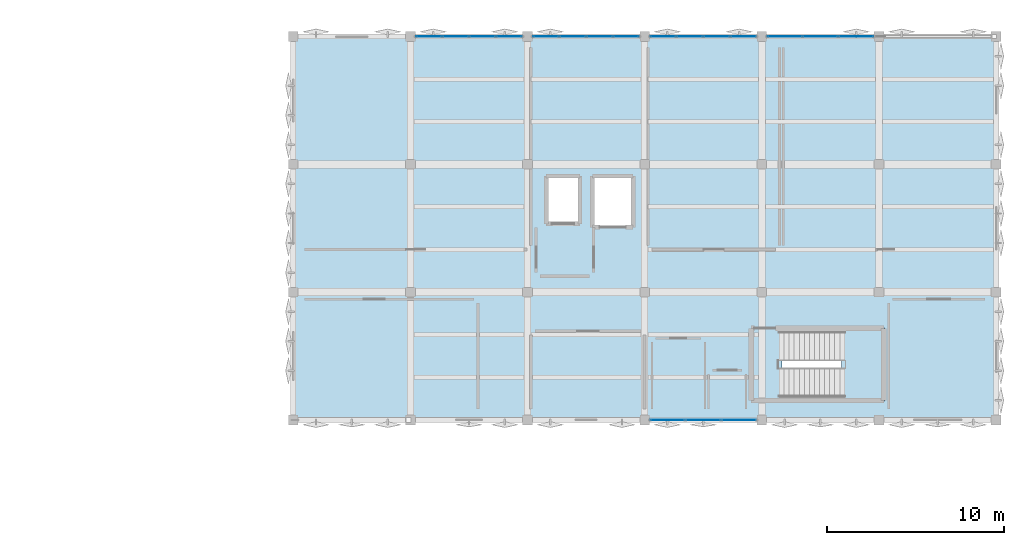
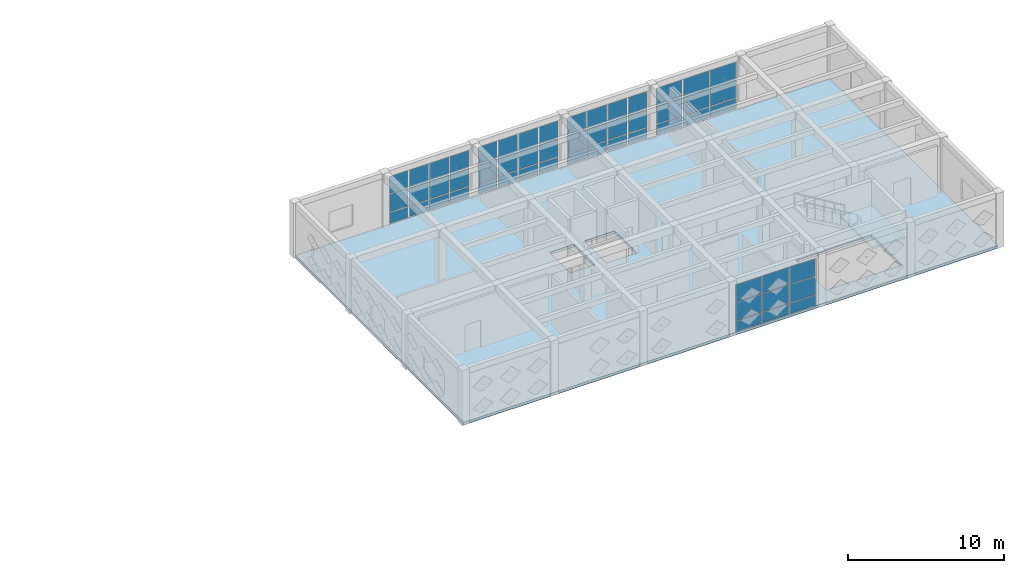
# One storey, part 22 of 36: 54 plates, 2 slabs, 6 elements without a shape of their own.
"""IFC4 building model written with IfcOpenShell, lengths in metres."""

from ifc_helpers import new_model, si_unit, direction, frame, origin, origin_2d, place, context, subcontext, project, spatial, polyline, rectangle, outline, extrude, material, layer, layer_set, type_object, element, aggregate, save


model = new_model("IFC4")

# Units and contexts
model_context = context("Model", 3, precision=1e-05, world=origin(), true_north=direction((0.0, 1.0)))
body_context = subcontext(model_context, "Body", "Model", "MODEL_VIEW")
ifc_project = project(units=[si_unit("LENGTHUNIT", "METRE"), si_unit("AREAUNIT", "SQUARE_METRE"), si_unit("VOLUMEUNIT", "CUBIC_METRE"), si_unit("PLANEANGLEUNIT", "RADIAN"), si_unit("MASSUNIT", "GRAM", prefix="KILO")], contexts=[model_context])

# Site, building, storey
site_placement = place(None, origin())
site = spatial("IfcSite", under=ifc_project, at=site_placement, CompositionType="ELEMENT")
building_placement = place(site_placement, origin())
building = spatial("IfcBuilding", under=site, at=building_placement, Name="Kharisveld Research Institute", CompositionType="ELEMENT")
storey_placement = place(building_placement, frame((0.0, 0.0, 27.60009765625)))
storey = spatial("IfcBuildingStorey", under=building, at=storey_placement, Name="L06", CompositionType="ELEMENT", Elevation=27.60009765625)

# Curtain wall, plates
ifc_material_1 = material(Name="Thermally Broken Aluminium Curtain Wall", Category="aluminium")
ifc_layer_1 = layer(ifc_material_1, 0.159912109375)
ifc_layer_set_1 = layer_set([ifc_layer_1], Name="CW_SYS_02")
curtain_wall_type_1 = type_object("IfcCurtainWallType", Name="CW_SYS_02", PredefinedType="NOTDEFINED", material=ifc_layer_set_1)
curtain_wall_1_placement = place(storey_placement, origin())
curtain_wall_1 = element("IfcCurtainWall", 1, at=curtain_wall_1_placement, inside=storey, type_object=curtain_wall_type_1, Name="CW:V2:L06:N2", PredefinedType="NOTDEFINED")
ifc_material_2 = material(Name="Low-E Double Glazing", Category="glass")
ifc_layer_2 = layer(ifc_material_2, 0.028076171875)
ifc_layer_set_2 = layer_set([ifc_layer_2], Name="CW_PNL_GLZ")
plate_type = type_object("IfcPlateType", Name="CW_PNL_GLZ", PredefinedType="CURTAIN_PANEL", material=ifc_layer_set_2)
plate_1_placement = place(storey_placement, frame((128.84375, 60.800048828125, 0.059814453125), z_axis=(0.0, 0.0, 1.0), x_axis=(1.0, 0.0, 0.0)))
plate_1 = element("IfcPlate", 2, at=plate_1_placement, type_object=plate_type, Name="CW-02 panel 1.1", PredefinedType="CURTAIN_PANEL", context=body_context, shape_type="SweptSolid", body=[
    extrude(rectangle(XDim=1.41748046875, YDim=0.028076171875, at=origin_2d()), origin(), (0.0, 0.0, 1.0), 0.81005859375),
])
plate_2_placement = place(storey_placement, frame((128.84375, 60.800048828125, 0.93017578125), z_axis=(0.0, 0.0, 1.0), x_axis=(1.0, 0.0, 0.0)))
plate_2 = element("IfcPlate", 3, at=plate_2_placement, type_object=plate_type, Name="CW-02 panel 1.2", PredefinedType="CURTAIN_PANEL", context=body_context, shape_type="SweptSolid", body=[
    extrude(rectangle(XDim=1.41748046875, YDim=0.028076171875, at=origin_2d()), origin(), (0.0, 0.0, 1.0), 1.389892578125),
])
plate_3_placement = place(storey_placement, frame((128.84375, 60.800048828125, 2.3798828125), z_axis=(0.0, 0.0, 1.0), x_axis=(1.0, 0.0, 0.0)))
plate_3 = element("IfcPlate", 4, at=plate_3_placement, type_object=plate_type, Name="CW-02 panel 1.3", PredefinedType="CURTAIN_PANEL", context=body_context, shape_type="SweptSolid", body=[
    extrude(rectangle(XDim=1.41748046875, YDim=0.028076171875, at=origin_2d()), origin(), (0.0, 0.0, 1.0), 1.340087890625),
])
plate_4_placement = place(storey_placement, frame((130.342529296875, 60.800048828125, 0.059814453125), z_axis=(0.0, 0.0, 1.0), x_axis=(1.0, 0.0, 0.0)))
plate_4 = element("IfcPlate", 5, at=plate_4_placement, type_object=plate_type, Name="CW-02 panel 2.1", PredefinedType="CURTAIN_PANEL", context=body_context, shape_type="SweptSolid", body=[
    extrude(rectangle(XDim=1.449951171875, YDim=0.028076171875, at=origin_2d()), origin(), (0.0, 0.0, 1.0), 0.81005859375),
])
plate_5_placement = place(storey_placement, frame((130.342529296875, 60.800048828125, 0.93017578125), z_axis=(0.0, 0.0, 1.0), x_axis=(1.0, 0.0, 0.0)))
plate_5 = element("IfcPlate", 6, at=plate_5_placement, type_object=plate_type, Name="CW-02 panel 2.2", PredefinedType="CURTAIN_PANEL", context=body_context, shape_type="SweptSolid", body=[
    extrude(rectangle(XDim=1.449951171875, YDim=0.028076171875, at=origin_2d()), origin(), (0.0, 0.0, 1.0), 1.389892578125),
])
plate_6_placement = place(storey_placement, frame((130.342529296875, 60.800048828125, 2.3798828125), z_axis=(0.0, 0.0, 1.0), x_axis=(1.0, 0.0, 0.0)))
plate_6 = element("IfcPlate", 7, at=plate_6_placement, type_object=plate_type, Name="CW-02 panel 2.3", PredefinedType="CURTAIN_PANEL", context=body_context, shape_type="SweptSolid", body=[
    extrude(rectangle(XDim=1.449951171875, YDim=0.028076171875, at=origin_2d()), origin(), (0.0, 0.0, 1.0), 1.340087890625),
])
plate_7_placement = place(storey_placement, frame((131.857421875, 60.800048828125, 0.059814453125), z_axis=(0.0, 0.0, 1.0), x_axis=(1.0, 0.0, 0.0)))
plate_7 = element("IfcPlate", 8, at=plate_7_placement, type_object=plate_type, Name="CW-02 panel 3.1", PredefinedType="CURTAIN_PANEL", context=body_context, shape_type="SweptSolid", body=[
    extrude(rectangle(XDim=1.449951171875, YDim=0.028076171875, at=origin_2d()), origin(), (0.0, 0.0, 1.0), 0.81005859375),
])
plate_8_placement = place(storey_placement, frame((131.857421875, 60.800048828125, 0.93017578125), z_axis=(0.0, 0.0, 1.0), x_axis=(1.0, 0.0, 0.0)))
plate_8 = element("IfcPlate", 9, at=plate_8_placement, type_object=plate_type, Name="CW-02 panel 3.2", PredefinedType="CURTAIN_PANEL", context=body_context, shape_type="SweptSolid", body=[
    extrude(rectangle(XDim=1.449951171875, YDim=0.028076171875, at=origin_2d()), origin(), (0.0, 0.0, 1.0), 1.389892578125),
])
plate_9_placement = place(storey_placement, frame((131.857421875, 60.800048828125, 2.3798828125), z_axis=(0.0, 0.0, 1.0), x_axis=(1.0, 0.0, 0.0)))
plate_9 = element("IfcPlate", 10, at=plate_9_placement, type_object=plate_type, Name="CW-02 panel 3.3", PredefinedType="CURTAIN_PANEL", context=body_context, shape_type="SweptSolid", body=[
    extrude(rectangle(XDim=1.449951171875, YDim=0.028076171875, at=origin_2d()), origin(), (0.0, 0.0, 1.0), 1.340087890625),
])
plate_10_placement = place(storey_placement, frame((133.356201171875, 60.800048828125, 0.059814453125), z_axis=(0.0, 0.0, 1.0), x_axis=(1.0, 0.0, 0.0)))
plate_10 = element("IfcPlate", 11, at=plate_10_placement, type_object=plate_type, Name="CW-02 panel 4.1", PredefinedType="CURTAIN_PANEL", context=body_context, shape_type="SweptSolid", body=[
    extrude(rectangle(XDim=1.41748046875, YDim=0.028076171875, at=origin_2d()), origin(), (0.0, 0.0, 1.0), 0.81005859375),
])
plate_11_placement = place(storey_placement, frame((133.356201171875, 60.800048828125, 0.93017578125), z_axis=(0.0, 0.0, 1.0), x_axis=(1.0, 0.0, 0.0)))
plate_11 = element("IfcPlate", 12, at=plate_11_placement, type_object=plate_type, Name="CW-02 panel 4.2", PredefinedType="CURTAIN_PANEL", context=body_context, shape_type="SweptSolid", body=[
    extrude(rectangle(XDim=1.41748046875, YDim=0.028076171875, at=origin_2d()), origin(), (0.0, 0.0, 1.0), 1.389892578125),
])
plate_12_placement = place(storey_placement, frame((133.356201171875, 60.800048828125, 2.3798828125), z_axis=(0.0, 0.0, 1.0), x_axis=(1.0, 0.0, 0.0)))
plate_12 = element("IfcPlate", 13, at=plate_12_placement, type_object=plate_type, Name="CW-02 panel 4.3", PredefinedType="CURTAIN_PANEL", context=body_context, shape_type="SweptSolid", body=[
    extrude(rectangle(XDim=1.41748046875, YDim=0.028076171875, at=origin_2d()), origin(), (0.0, 0.0, 1.0), 1.340087890625),
])
aggregate(curtain_wall_1, [plate_1, plate_2, plate_3, plate_4, plate_5, plate_6, plate_7, plate_8, plate_9, plate_10, plate_11, plate_12])

ifc_material_3 = material(Name="Thermally Broken Aluminium Curtain Wall", Category="aluminium")
ifc_layer_3 = layer(ifc_material_3, 0.159912109375)
ifc_layer_set_3 = layer_set([ifc_layer_3], Name="CW_SYS_03")
curtain_wall_type_2 = type_object("IfcCurtainWallType", Name="CW_SYS_03", PredefinedType="NOTDEFINED", material=ifc_layer_set_3)
curtain_wall_2_placement = place(storey_placement, origin())
curtain_wall_2 = element("IfcCurtainWall", 14, at=curtain_wall_2_placement, inside=storey, type_object=curtain_wall_type_2, Name="CW:V2:L06:N3", PredefinedType="NOTDEFINED")
plate_13_placement = place(storey_placement, frame((135.44384765625, 60.800048828125, 0.059814453125), z_axis=(0.0, 0.0, 1.0), x_axis=(1.0, 0.0, 0.0)))
plate_13 = element("IfcPlate", 15, at=plate_13_placement, type_object=plate_type, Name="CW-03 panel 1.1", PredefinedType="CURTAIN_PANEL", context=body_context, shape_type="SweptSolid", body=[
    extrude(rectangle(XDim=1.41748046875, YDim=0.028076171875, at=origin_2d()), origin(), (0.0, 0.0, 1.0), 0.81005859375),
])
plate_14_placement = place(storey_placement, frame((135.44384765625, 60.800048828125, 0.93017578125), z_axis=(0.0, 0.0, 1.0), x_axis=(1.0, 0.0, 0.0)))
plate_14 = element("IfcPlate", 16, at=plate_14_placement, type_object=plate_type, Name="CW-03 panel 1.2", PredefinedType="CURTAIN_PANEL", context=body_context, shape_type="SweptSolid", body=[
    extrude(rectangle(XDim=1.41748046875, YDim=0.028076171875, at=origin_2d()), origin(), (0.0, 0.0, 1.0), 1.389892578125),
])
plate_15_placement = place(storey_placement, frame((135.44384765625, 60.800048828125, 2.3798828125), z_axis=(0.0, 0.0, 1.0), x_axis=(1.0, 0.0, 0.0)))
plate_15 = element("IfcPlate", 17, at=plate_15_placement, type_object=plate_type, Name="CW-03 panel 1.3", PredefinedType="CURTAIN_PANEL", context=body_context, shape_type="SweptSolid", body=[
    extrude(rectangle(XDim=1.41748046875, YDim=0.028076171875, at=origin_2d()), origin(), (0.0, 0.0, 1.0), 1.340087890625),
])
plate_16_placement = place(storey_placement, frame((136.9423828125, 60.800048828125, 0.059814453125), z_axis=(0.0, 0.0, 1.0), x_axis=(1.0, 0.0, 0.0)))
plate_16 = element("IfcPlate", 18, at=plate_16_placement, type_object=plate_type, Name="CW-03 panel 2.1", PredefinedType="CURTAIN_PANEL", context=body_context, shape_type="SweptSolid", body=[
    extrude(rectangle(XDim=1.449951171875, YDim=0.028076171875, at=origin_2d()), origin(), (0.0, 0.0, 1.0), 0.81005859375),
])
plate_17_placement = place(storey_placement, frame((136.9423828125, 60.800048828125, 0.93017578125), z_axis=(0.0, 0.0, 1.0), x_axis=(1.0, 0.0, 0.0)))
plate_17 = element("IfcPlate", 19, at=plate_17_placement, type_object=plate_type, Name="CW-03 panel 2.2", PredefinedType="CURTAIN_PANEL", context=body_context, shape_type="SweptSolid", body=[
    extrude(rectangle(XDim=1.449951171875, YDim=0.028076171875, at=origin_2d()), origin(), (0.0, 0.0, 1.0), 1.389892578125),
])
plate_18_placement = place(storey_placement, frame((136.9423828125, 60.800048828125, 2.3798828125), z_axis=(0.0, 0.0, 1.0), x_axis=(1.0, 0.0, 0.0)))
plate_18 = element("IfcPlate", 20, at=plate_18_placement, type_object=plate_type, Name="CW-03 panel 2.3", PredefinedType="CURTAIN_PANEL", context=body_context, shape_type="SweptSolid", body=[
    extrude(rectangle(XDim=1.449951171875, YDim=0.028076171875, at=origin_2d()), origin(), (0.0, 0.0, 1.0), 1.340087890625),
])
plate_19_placement = place(storey_placement, frame((138.45751953125, 60.800048828125, 0.059814453125), z_axis=(0.0, 0.0, 1.0), x_axis=(1.0, 0.0, 0.0)))
plate_19 = element("IfcPlate", 21, at=plate_19_placement, type_object=plate_type, Name="CW-03 panel 3.1", PredefinedType="CURTAIN_PANEL", context=body_context, shape_type="SweptSolid", body=[
    extrude(rectangle(XDim=1.449951171875, YDim=0.028076171875, at=origin_2d()), origin(), (0.0, 0.0, 1.0), 0.81005859375),
])
plate_20_placement = place(storey_placement, frame((138.45751953125, 60.800048828125, 0.93017578125), z_axis=(0.0, 0.0, 1.0), x_axis=(1.0, 0.0, 0.0)))
plate_20 = element("IfcPlate", 22, at=plate_20_placement, type_object=plate_type, Name="CW-03 panel 3.2", PredefinedType="CURTAIN_PANEL", context=body_context, shape_type="SweptSolid", body=[
    extrude(rectangle(XDim=1.449951171875, YDim=0.028076171875, at=origin_2d()), origin(), (0.0, 0.0, 1.0), 1.389892578125),
])
plate_21_placement = place(storey_placement, frame((138.45751953125, 60.800048828125, 2.3798828125), z_axis=(0.0, 0.0, 1.0), x_axis=(1.0, 0.0, 0.0)))
plate_21 = element("IfcPlate", 23, at=plate_21_placement, type_object=plate_type, Name="CW-03 panel 3.3", PredefinedType="CURTAIN_PANEL", context=body_context, shape_type="SweptSolid", body=[
    extrude(rectangle(XDim=1.449951171875, YDim=0.028076171875, at=origin_2d()), origin(), (0.0, 0.0, 1.0), 1.340087890625),
])
plate_22_placement = place(storey_placement, frame((139.956298828125, 60.800048828125, 0.059814453125), z_axis=(0.0, 0.0, 1.0), x_axis=(1.0, 0.0, 0.0)))
plate_22 = element("IfcPlate", 24, at=plate_22_placement, type_object=plate_type, Name="CW-03 panel 4.1", PredefinedType="CURTAIN_PANEL", context=body_context, shape_type="SweptSolid", body=[
    extrude(rectangle(XDim=1.41748046875, YDim=0.028076171875, at=origin_2d()), origin(), (0.0, 0.0, 1.0), 0.81005859375),
])
plate_23_placement = place(storey_placement, frame((139.956298828125, 60.800048828125, 0.93017578125), z_axis=(0.0, 0.0, 1.0), x_axis=(1.0, 0.0, 0.0)))
plate_23 = element("IfcPlate", 25, at=plate_23_placement, type_object=plate_type, Name="CW-03 panel 4.2", PredefinedType="CURTAIN_PANEL", context=body_context, shape_type="SweptSolid", body=[
    extrude(rectangle(XDim=1.41748046875, YDim=0.028076171875, at=origin_2d()), origin(), (0.0, 0.0, 1.0), 1.389892578125),
])
plate_24_placement = place(storey_placement, frame((139.956298828125, 60.800048828125, 2.3798828125), z_axis=(0.0, 0.0, 1.0), x_axis=(1.0, 0.0, 0.0)))
plate_24 = element("IfcPlate", 26, at=plate_24_placement, type_object=plate_type, Name="CW-03 panel 4.3", PredefinedType="CURTAIN_PANEL", context=body_context, shape_type="SweptSolid", body=[
    extrude(rectangle(XDim=1.41748046875, YDim=0.028076171875, at=origin_2d()), origin(), (0.0, 0.0, 1.0), 1.340087890625),
])
aggregate(curtain_wall_2, [plate_13, plate_14, plate_15, plate_16, plate_17, plate_18, plate_19, plate_20, plate_21, plate_22, plate_23, plate_24])

ifc_material_4 = material(Name="Thermally Broken Aluminium Curtain Wall", Category="aluminium")
ifc_layer_4 = layer(ifc_material_4, 0.159912109375)
ifc_layer_set_4 = layer_set([ifc_layer_4], Name="CW_SYS_04")
curtain_wall_type_3 = type_object("IfcCurtainWallType", Name="CW_SYS_04", PredefinedType="NOTDEFINED", material=ifc_layer_set_4)
curtain_wall_3_placement = place(storey_placement, origin())
curtain_wall_3 = element("IfcCurtainWall", 27, at=curtain_wall_3_placement, inside=storey, type_object=curtain_wall_type_3, Name="CW:V2:L06:N4", PredefinedType="NOTDEFINED")
plate_25_placement = place(storey_placement, frame((142.043701171875, 60.800048828125, 0.059814453125), z_axis=(0.0, 0.0, 1.0), x_axis=(1.0, 0.0, 0.0)))
plate_25 = element("IfcPlate", 28, at=plate_25_placement, type_object=plate_type, Name="CW-04 panel 1.1", PredefinedType="CURTAIN_PANEL", context=body_context, shape_type="SweptSolid", body=[
    extrude(rectangle(XDim=1.41748046875, YDim=0.028076171875, at=origin_2d()), origin(), (0.0, 0.0, 1.0), 0.81005859375),
])
plate_26_placement = place(storey_placement, frame((142.043701171875, 60.800048828125, 0.93017578125), z_axis=(0.0, 0.0, 1.0), x_axis=(1.0, 0.0, 0.0)))
plate_26 = element("IfcPlate", 29, at=plate_26_placement, type_object=plate_type, Name="CW-04 panel 1.2", PredefinedType="CURTAIN_PANEL", context=body_context, shape_type="SweptSolid", body=[
    extrude(rectangle(XDim=1.41748046875, YDim=0.028076171875, at=origin_2d()), origin(), (0.0, 0.0, 1.0), 1.389892578125),
])
plate_27_placement = place(storey_placement, frame((142.043701171875, 60.800048828125, 2.3798828125), z_axis=(0.0, 0.0, 1.0), x_axis=(1.0, 0.0, 0.0)))
plate_27 = element("IfcPlate", 30, at=plate_27_placement, type_object=plate_type, Name="CW-04 panel 1.3", PredefinedType="CURTAIN_PANEL", context=body_context, shape_type="SweptSolid", body=[
    extrude(rectangle(XDim=1.41748046875, YDim=0.028076171875, at=origin_2d()), origin(), (0.0, 0.0, 1.0), 1.340087890625),
])
plate_28_placement = place(storey_placement, frame((143.54248046875, 60.800048828125, 0.059814453125), z_axis=(0.0, 0.0, 1.0), x_axis=(1.0, 0.0, 0.0)))
plate_28 = element("IfcPlate", 31, at=plate_28_placement, type_object=plate_type, Name="CW-04 panel 2.1", PredefinedType="CURTAIN_PANEL", context=body_context, shape_type="SweptSolid", body=[
    extrude(rectangle(XDim=1.449951171875, YDim=0.028076171875, at=origin_2d()), origin(), (0.0, 0.0, 1.0), 0.81005859375),
])
plate_29_placement = place(storey_placement, frame((143.54248046875, 60.800048828125, 0.93017578125), z_axis=(0.0, 0.0, 1.0), x_axis=(1.0, 0.0, 0.0)))
plate_29 = element("IfcPlate", 32, at=plate_29_placement, type_object=plate_type, Name="CW-04 panel 2.2", PredefinedType="CURTAIN_PANEL", context=body_context, shape_type="SweptSolid", body=[
    extrude(rectangle(XDim=1.449951171875, YDim=0.028076171875, at=origin_2d()), origin(), (0.0, 0.0, 1.0), 1.389892578125),
])
plate_30_placement = place(storey_placement, frame((143.54248046875, 60.800048828125, 2.3798828125), z_axis=(0.0, 0.0, 1.0), x_axis=(1.0, 0.0, 0.0)))
plate_30 = element("IfcPlate", 33, at=plate_30_placement, type_object=plate_type, Name="CW-04 panel 2.3", PredefinedType="CURTAIN_PANEL", context=body_context, shape_type="SweptSolid", body=[
    extrude(rectangle(XDim=1.449951171875, YDim=0.028076171875, at=origin_2d()), origin(), (0.0, 0.0, 1.0), 1.340087890625),
])
plate_31_placement = place(storey_placement, frame((145.0576171875, 60.800048828125, 0.059814453125), z_axis=(0.0, 0.0, 1.0), x_axis=(1.0, 0.0, 0.0)))
plate_31 = element("IfcPlate", 34, at=plate_31_placement, type_object=plate_type, Name="CW-04 panel 3.1", PredefinedType="CURTAIN_PANEL", context=body_context, shape_type="SweptSolid", body=[
    extrude(rectangle(XDim=1.449951171875, YDim=0.028076171875, at=origin_2d()), origin(), (0.0, 0.0, 1.0), 0.81005859375),
])
plate_32_placement = place(storey_placement, frame((145.0576171875, 60.800048828125, 0.93017578125), z_axis=(0.0, 0.0, 1.0), x_axis=(1.0, 0.0, 0.0)))
plate_32 = element("IfcPlate", 35, at=plate_32_placement, type_object=plate_type, Name="CW-04 panel 3.2", PredefinedType="CURTAIN_PANEL", context=body_context, shape_type="SweptSolid", body=[
    extrude(rectangle(XDim=1.449951171875, YDim=0.028076171875, at=origin_2d()), origin(), (0.0, 0.0, 1.0), 1.389892578125),
])
plate_33_placement = place(storey_placement, frame((145.0576171875, 60.800048828125, 2.3798828125), z_axis=(0.0, 0.0, 1.0), x_axis=(1.0, 0.0, 0.0)))
plate_33 = element("IfcPlate", 36, at=plate_33_placement, type_object=plate_type, Name="CW-04 panel 3.3", PredefinedType="CURTAIN_PANEL", context=body_context, shape_type="SweptSolid", body=[
    extrude(rectangle(XDim=1.449951171875, YDim=0.028076171875, at=origin_2d()), origin(), (0.0, 0.0, 1.0), 1.340087890625),
])
plate_34_placement = place(storey_placement, frame((146.55615234375, 60.800048828125, 0.059814453125), z_axis=(0.0, 0.0, 1.0), x_axis=(1.0, 0.0, 0.0)))
plate_34 = element("IfcPlate", 37, at=plate_34_placement, type_object=plate_type, Name="CW-04 panel 4.1", PredefinedType="CURTAIN_PANEL", context=body_context, shape_type="SweptSolid", body=[
    extrude(rectangle(XDim=1.41748046875, YDim=0.028076171875, at=origin_2d()), origin(), (0.0, 0.0, 1.0), 0.81005859375),
])
plate_35_placement = place(storey_placement, frame((146.55615234375, 60.800048828125, 0.93017578125), z_axis=(0.0, 0.0, 1.0), x_axis=(1.0, 0.0, 0.0)))
plate_35 = element("IfcPlate", 38, at=plate_35_placement, type_object=plate_type, Name="CW-04 panel 4.2", PredefinedType="CURTAIN_PANEL", context=body_context, shape_type="SweptSolid", body=[
    extrude(rectangle(XDim=1.41748046875, YDim=0.028076171875, at=origin_2d()), origin(), (0.0, 0.0, 1.0), 1.389892578125),
])
plate_36_placement = place(storey_placement, frame((146.55615234375, 60.800048828125, 2.3798828125), z_axis=(0.0, 0.0, 1.0), x_axis=(1.0, 0.0, 0.0)))
plate_36 = element("IfcPlate", 39, at=plate_36_placement, type_object=plate_type, Name="CW-04 panel 4.3", PredefinedType="CURTAIN_PANEL", context=body_context, shape_type="SweptSolid", body=[
    extrude(rectangle(XDim=1.41748046875, YDim=0.028076171875, at=origin_2d()), origin(), (0.0, 0.0, 1.0), 1.340087890625),
])
aggregate(curtain_wall_3, [plate_25, plate_26, plate_27, plate_28, plate_29, plate_30, plate_31, plate_32, plate_33, plate_34, plate_35, plate_36])

ifc_material_5 = material(Name="Thermally Broken Aluminium Curtain Wall", Category="aluminium")
ifc_layer_5 = layer(ifc_material_5, 0.159912109375)
ifc_layer_set_5 = layer_set([ifc_layer_5], Name="CW_SYS_05")
curtain_wall_type_4 = type_object("IfcCurtainWallType", Name="CW_SYS_05", PredefinedType="NOTDEFINED", material=ifc_layer_set_5)
curtain_wall_4_placement = place(storey_placement, origin())
curtain_wall_4 = element("IfcCurtainWall", 40, at=curtain_wall_4_placement, inside=storey, type_object=curtain_wall_type_4, Name="CW:V2:L06:N5", PredefinedType="NOTDEFINED")
plate_37_placement = place(storey_placement, frame((148.896240234375, 60.800048828125, 0.059814453125), z_axis=(0.0, 0.0, 1.0), x_axis=(1.0, 0.0, 0.0)))
plate_37 = element("IfcPlate", 41, at=plate_37_placement, type_object=plate_type, Name="CW-05 panel 1.1", PredefinedType="CURTAIN_PANEL", context=body_context, shape_type="SweptSolid", body=[
    extrude(rectangle(XDim=1.922607421875, YDim=0.028076171875, at=origin_2d()), origin(), (0.0, 0.0, 1.0), 0.81005859375),
])
plate_38_placement = place(storey_placement, frame((148.896240234375, 60.800048828125, 0.93017578125), z_axis=(0.0, 0.0, 1.0), x_axis=(1.0, 0.0, 0.0)))
plate_38 = element("IfcPlate", 42, at=plate_38_placement, type_object=plate_type, Name="CW-05 panel 1.2", PredefinedType="CURTAIN_PANEL", context=body_context, shape_type="SweptSolid", body=[
    extrude(rectangle(XDim=1.922607421875, YDim=0.028076171875, at=origin_2d()), origin(), (0.0, 0.0, 1.0), 1.389892578125),
])
plate_39_placement = place(storey_placement, frame((148.896240234375, 60.800048828125, 2.3798828125), z_axis=(0.0, 0.0, 1.0), x_axis=(1.0, 0.0, 0.0)))
plate_39 = element("IfcPlate", 43, at=plate_39_placement, type_object=plate_type, Name="CW-05 panel 1.3", PredefinedType="CURTAIN_PANEL", context=body_context, shape_type="SweptSolid", body=[
    extrude(rectangle(XDim=1.922607421875, YDim=0.028076171875, at=origin_2d()), origin(), (0.0, 0.0, 1.0), 1.340087890625),
])
plate_40_placement = place(storey_placement, frame((150.89990234375, 60.800048828125, 0.059814453125), z_axis=(0.0, 0.0, 1.0), x_axis=(1.0, 0.0, 0.0)))
plate_40 = element("IfcPlate", 44, at=plate_40_placement, type_object=plate_type, Name="CW-05 panel 2.1", PredefinedType="CURTAIN_PANEL", context=body_context, shape_type="SweptSolid", body=[
    extrude(rectangle(XDim=1.955078125, YDim=0.028076171875, at=origin_2d()), origin(), (0.0, 0.0, 1.0), 0.81005859375),
])
plate_41_placement = place(storey_placement, frame((150.89990234375, 60.800048828125, 0.93017578125), z_axis=(0.0, 0.0, 1.0), x_axis=(1.0, 0.0, 0.0)))
plate_41 = element("IfcPlate", 45, at=plate_41_placement, type_object=plate_type, Name="CW-05 panel 2.2", PredefinedType="CURTAIN_PANEL", context=body_context, shape_type="SweptSolid", body=[
    extrude(rectangle(XDim=1.955078125, YDim=0.028076171875, at=origin_2d()), origin(), (0.0, 0.0, 1.0), 1.389892578125),
])
plate_42_placement = place(storey_placement, frame((150.89990234375, 60.800048828125, 2.3798828125), z_axis=(0.0, 0.0, 1.0), x_axis=(1.0, 0.0, 0.0)))
plate_42 = element("IfcPlate", 46, at=plate_42_placement, type_object=plate_type, Name="CW-05 panel 2.3", PredefinedType="CURTAIN_PANEL", context=body_context, shape_type="SweptSolid", body=[
    extrude(rectangle(XDim=1.955078125, YDim=0.028076171875, at=origin_2d()), origin(), (0.0, 0.0, 1.0), 1.340087890625),
])
plate_43_placement = place(storey_placement, frame((152.90380859375, 60.800048828125, 0.059814453125), z_axis=(0.0, 0.0, 1.0), x_axis=(1.0, 0.0, 0.0)))
plate_43 = element("IfcPlate", 47, at=plate_43_placement, type_object=plate_type, Name="CW-05 panel 3.1", PredefinedType="CURTAIN_PANEL", context=body_context, shape_type="SweptSolid", body=[
    extrude(rectangle(XDim=1.922607421875, YDim=0.028076171875, at=origin_2d()), origin(), (0.0, 0.0, 1.0), 0.81005859375),
])
plate_44_placement = place(storey_placement, frame((152.90380859375, 60.800048828125, 0.93017578125), z_axis=(0.0, 0.0, 1.0), x_axis=(1.0, 0.0, 0.0)))
plate_44 = element("IfcPlate", 48, at=plate_44_placement, type_object=plate_type, Name="CW-05 panel 3.2", PredefinedType="CURTAIN_PANEL", context=body_context, shape_type="SweptSolid", body=[
    extrude(rectangle(XDim=1.922607421875, YDim=0.028076171875, at=origin_2d()), origin(), (0.0, 0.0, 1.0), 1.389892578125),
])
plate_45_placement = place(storey_placement, frame((152.90380859375, 60.800048828125, 2.3798828125), z_axis=(0.0, 0.0, 1.0), x_axis=(1.0, 0.0, 0.0)))
plate_45 = element("IfcPlate", 49, at=plate_45_placement, type_object=plate_type, Name="CW-05 panel 3.3", PredefinedType="CURTAIN_PANEL", context=body_context, shape_type="SweptSolid", body=[
    extrude(rectangle(XDim=1.922607421875, YDim=0.028076171875, at=origin_2d()), origin(), (0.0, 0.0, 1.0), 1.340087890625),
])
aggregate(curtain_wall_4, [plate_37, plate_38, plate_39, plate_40, plate_41, plate_42, plate_43, plate_44, plate_45])

ifc_material_6 = material(Name="Thermally Broken Aluminium Curtain Wall", Category="aluminium")
ifc_layer_6 = layer(ifc_material_6, 0.159912109375)
ifc_layer_set_6 = layer_set([ifc_layer_6], Name="CW_SYS_06")
curtain_wall_type_5 = type_object("IfcCurtainWallType", Name="CW_SYS_06", PredefinedType="NOTDEFINED", material=ifc_layer_set_6)
curtain_wall_5_placement = place(storey_placement, origin())
curtain_wall_5 = element("IfcCurtainWall", 50, at=curtain_wall_5_placement, inside=storey, type_object=curtain_wall_type_5, Name="CW:V2:L06:S5", PredefinedType="NOTDEFINED")
plate_46_placement = place(storey_placement, frame((146.3037109375, 39.199951171875, 0.059814453125), z_axis=(0.0, 0.0, 1.0), x_axis=(-1.0, 0.0, 0.0)))
plate_46 = element("IfcPlate", 51, at=plate_46_placement, type_object=plate_type, Name="CW-06 panel 1.1", PredefinedType="CURTAIN_PANEL", context=body_context, shape_type="SweptSolid", body=[
    extrude(rectangle(XDim=1.922607421875, YDim=0.028076171875, at=origin_2d()), origin(), (0.0, 0.0, 1.0), 0.81005859375),
])
plate_47_placement = place(storey_placement, frame((146.3037109375, 39.199951171875, 0.93017578125), z_axis=(0.0, 0.0, 1.0), x_axis=(-1.0, 0.0, 0.0)))
plate_47 = element("IfcPlate", 52, at=plate_47_placement, type_object=plate_type, Name="CW-06 panel 1.2", PredefinedType="CURTAIN_PANEL", context=body_context, shape_type="SweptSolid", body=[
    extrude(rectangle(XDim=1.922607421875, YDim=0.028076171875, at=origin_2d()), origin(), (0.0, 0.0, 1.0), 1.389892578125),
])
plate_48_placement = place(storey_placement, frame((146.3037109375, 39.199951171875, 2.3798828125), z_axis=(0.0, 0.0, 1.0), x_axis=(-1.0, 0.0, 0.0)))
plate_48 = element("IfcPlate", 53, at=plate_48_placement, type_object=plate_type, Name="CW-06 panel 1.3", PredefinedType="CURTAIN_PANEL", context=body_context, shape_type="SweptSolid", body=[
    extrude(rectangle(XDim=1.922607421875, YDim=0.028076171875, at=origin_2d()), origin(), (0.0, 0.0, 1.0), 1.340087890625),
])
plate_49_placement = place(storey_placement, frame((144.300048828125, 39.199951171875, 0.059814453125), z_axis=(0.0, 0.0, 1.0), x_axis=(-1.0, 0.0, 0.0)))
plate_49 = element("IfcPlate", 54, at=plate_49_placement, type_object=plate_type, Name="CW-06 panel 2.1", PredefinedType="CURTAIN_PANEL", context=body_context, shape_type="SweptSolid", body=[
    extrude(rectangle(XDim=1.955078125, YDim=0.028076171875, at=origin_2d()), origin(), (0.0, 0.0, 1.0), 0.81005859375),
])
plate_50_placement = place(storey_placement, frame((144.300048828125, 39.199951171875, 0.93017578125), z_axis=(0.0, 0.0, 1.0), x_axis=(-1.0, 0.0, 0.0)))
plate_50 = element("IfcPlate", 55, at=plate_50_placement, type_object=plate_type, Name="CW-06 panel 2.2", PredefinedType="CURTAIN_PANEL", context=body_context, shape_type="SweptSolid", body=[
    extrude(rectangle(XDim=1.955078125, YDim=0.028076171875, at=origin_2d()), origin(), (0.0, 0.0, 1.0), 1.389892578125),
])
plate_51_placement = place(storey_placement, frame((144.300048828125, 39.199951171875, 2.3798828125), z_axis=(0.0, 0.0, 1.0), x_axis=(-1.0, 0.0, 0.0)))
plate_51 = element("IfcPlate", 56, at=plate_51_placement, type_object=plate_type, Name="CW-06 panel 2.3", PredefinedType="CURTAIN_PANEL", context=body_context, shape_type="SweptSolid", body=[
    extrude(rectangle(XDim=1.955078125, YDim=0.028076171875, at=origin_2d()), origin(), (0.0, 0.0, 1.0), 1.340087890625),
])
plate_52_placement = place(storey_placement, frame((142.296142578125, 39.199951171875, 0.059814453125), z_axis=(0.0, 0.0, 1.0), x_axis=(-1.0, 0.0, 0.0)))
plate_52 = element("IfcPlate", 57, at=plate_52_placement, type_object=plate_type, Name="CW-06 panel 3.1", PredefinedType="CURTAIN_PANEL", context=body_context, shape_type="SweptSolid", body=[
    extrude(rectangle(XDim=1.922607421875, YDim=0.028076171875, at=origin_2d()), origin(), (0.0, 0.0, 1.0), 0.81005859375),
])
plate_53_placement = place(storey_placement, frame((142.296142578125, 39.199951171875, 0.93017578125), z_axis=(0.0, 0.0, 1.0), x_axis=(-1.0, 0.0, 0.0)))
plate_53 = element("IfcPlate", 58, at=plate_53_placement, type_object=plate_type, Name="CW-06 panel 3.2", PredefinedType="CURTAIN_PANEL", context=body_context, shape_type="SweptSolid", body=[
    extrude(rectangle(XDim=1.922607421875, YDim=0.028076171875, at=origin_2d()), origin(), (0.0, 0.0, 1.0), 1.389892578125),
])
plate_54_placement = place(storey_placement, frame((142.296142578125, 39.199951171875, 2.3798828125), z_axis=(0.0, 0.0, 1.0), x_axis=(-1.0, 0.0, 0.0)))
plate_54 = element("IfcPlate", 59, at=plate_54_placement, type_object=plate_type, Name="CW-06 panel 3.3", PredefinedType="CURTAIN_PANEL", context=body_context, shape_type="SweptSolid", body=[
    extrude(rectangle(XDim=1.922607421875, YDim=0.028076171875, at=origin_2d()), origin(), (0.0, 0.0, 1.0), 1.340087890625),
])
aggregate(curtain_wall_5, [plate_46, plate_47, plate_48, plate_49, plate_50, plate_51, plate_52, plate_53, plate_54])

# Slab
ifc_material_7 = material(Name="Concrete C40/50", Category="concrete")
ifc_layer_7 = layer(ifc_material_7, 0.2099609375)
ifc_layer_set_7 = layer_set([ifc_layer_7], Name="SL_FLR_210")
slab_type_1 = type_object("IfcSlabType", Name="SL_FLR_210", PredefinedType="FLOOR", material=ifc_layer_set_7)
slab_1_placement = place(storey_placement, frame((0.0, 0.0, -0.210205078125)))
element("IfcSlab", 60, at=slab_1_placement, inside=storey, type_object=slab_type_1, Name="SLAB:V2:L06:MAIN", PredefinedType="FLOOR", context=body_context, shape_type="SweptSolid", body=[
    extrude(outline(polyline([(121.199951171875, 39.199951171875), (160.800048828125, 39.199951171875), (160.800048828125, 60.800048828125), (121.199951171875, 60.800048828125), (121.199951171875, 39.199951171875)]), holes=[polyline([(154.35009765625, 44.260009765625), (154.35009765625, 40.39990234375), (148.75, 40.39990234375), (148.75, 44.260009765625), (154.35009765625, 44.260009765625)]), polyline([(140.320068359375, 50.080078125), (138.080078125, 50.080078125), (138.080078125, 52.919921875), (140.320068359375, 52.919921875), (140.320068359375, 50.080078125)]), polyline([(137.320068359375, 50.280029296875), (135.47998046875, 50.280029296875), (135.47998046875, 52.919921875), (137.320068359375, 52.919921875), (137.320068359375, 50.280029296875)])]), origin(), (0.0, 0.0, 1.0), 0.210205078125),
])

# Stair, slab
ifc_material_8 = material(Name="Concrete C40/50", Category="concrete")
stair_type = type_object("IfcStairType", Name="ST_EXIT_170", PredefinedType="TWO_STRAIGHT_RUN_STAIR", material=ifc_material_8)
stair_placement = place(storey_placement, origin())
stair = element("IfcStair", 61, at=stair_placement, inside=storey, type_object=stair_type, Name="STR:ST3:L06", PredefinedType="TWO_STRAIGHT_RUN_STAIR")
ifc_material_9 = material(Name="Concrete C40/50", Category="concrete")
ifc_layer_8 = layer(ifc_material_9, 0.179931640625)
ifc_layer_set_8 = layer_set([ifc_layer_8], Name="SL_LND_180")
slab_type_2 = type_object("IfcSlabType", Name="SL_LND_180", PredefinedType="LANDING", material=ifc_layer_set_8)
slab_2_placement = place(storey_placement, frame((0.0, 0.0, 2.06982421875)))
slab_2 = element("IfcSlab", 62, at=slab_2_placement, type_object=slab_type_2, Name="ST-03 landing 1", PredefinedType="LANDING", context=body_context, shape_type="SweptSolid", body=[
    extrude(outline(polyline([(152.094970703125, 40.27001953125), (154.5, 40.27001953125), (154.5, 44.389892578125), (152.094970703125, 44.389892578125), (152.094970703125, 40.27001953125)])), origin(), (0.0, 0.0, 1.0), 0.18017578125),
])
aggregate(stair, [slab_2])

save(model, "model.ifc")
